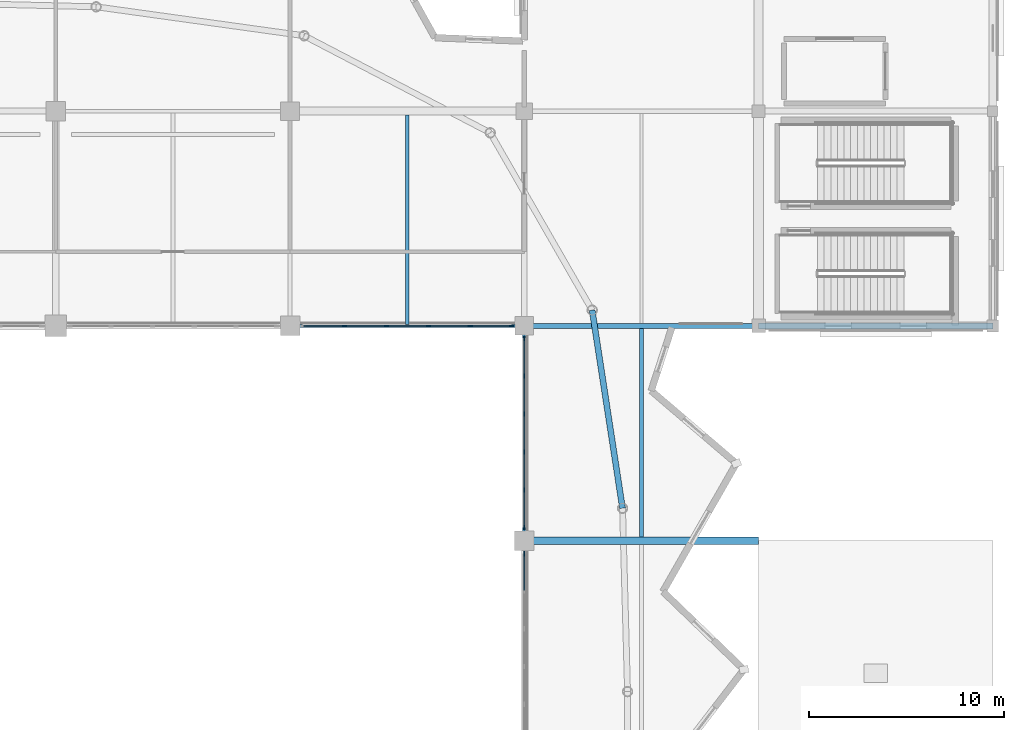
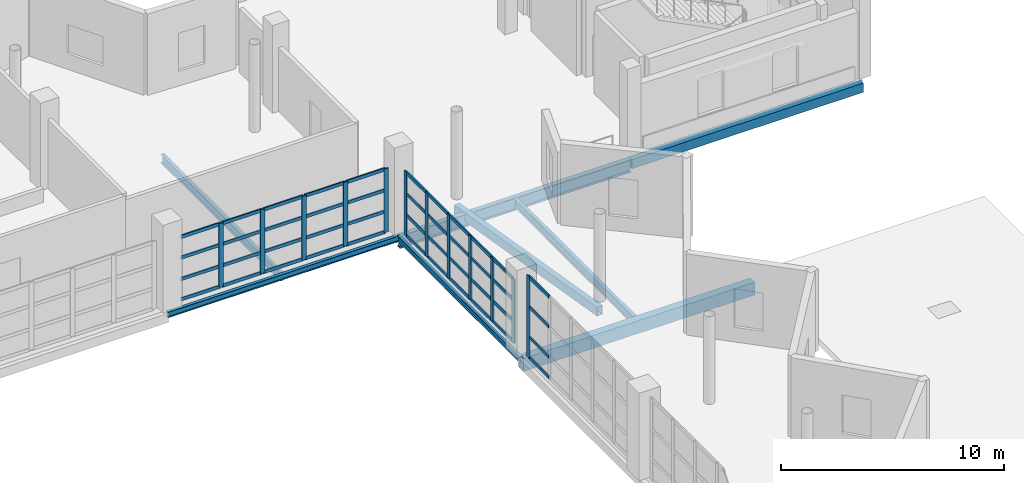
# One storey, part 27 of 53: 56 members, 8 beams, 3 elements without a shape of their own.
"""IFC4 building model written with IfcOpenShell, lengths in metres."""

from ifc_helpers import new_model, si_unit, direction, frame, origin, origin_2d, place, context, subcontext, project, spatial, rectangle, hollow_rectangle, i_section, extrude, material, material_profile, profile_set, type_object, element, aggregate, save


model = new_model("IFC4")

# Units and contexts
model_context = context("Model", 3, precision=1e-05, world=origin(), true_north=direction((0.0, 1.0)))
body_context = subcontext(model_context, "Body", "Model", "MODEL_VIEW")
ifc_project = project(units=[si_unit("LENGTHUNIT", "METRE"), si_unit("AREAUNIT", "SQUARE_METRE"), si_unit("VOLUMEUNIT", "CUBIC_METRE"), si_unit("PLANEANGLEUNIT", "RADIAN"), si_unit("MASSUNIT", "GRAM", prefix="KILO")], contexts=[model_context])

# Site, building, storey
site_placement = place(None, origin())
site = spatial("IfcSite", under=ifc_project, at=site_placement, CompositionType="ELEMENT")
building_placement = place(site_placement, origin())
building = spatial("IfcBuilding", under=site, at=building_placement, Name="Luwafu Chhajja Arena", CompositionType="ELEMENT")
storey_placement = place(building_placement, frame((0.0, 0.0, 19.5)))
storey = spatial("IfcBuildingStorey", under=building, at=storey_placement, Name="L04", CompositionType="ELEMENT", Elevation=19.5)

# Curtain wall, members
ifc_material_1 = material(Name="Anodised bronze aluminium", Category="aluminium")
curtain_wall_type = type_object("IfcCurtainWallType", Name="Media Ribbon Curtain Wall", PredefinedType="USERDEFINED", material=ifc_material_1)
curtain_wall_1_placement = place(storey_placement, origin())
curtain_wall_1 = element("IfcCurtainWall", 1, at=curtain_wall_1_placement, inside=storey, type_object=curtain_wall_type, Name="L04 Bowl Viewing Curtain Wall CWR-L04-14", ObjectType="CURTAIN WALL", PredefinedType="USERDEFINED")
ifc_material_profile_1 = material_profile(ifc_material_1, rectangle(XDim=0.070068359375, YDim=0.239990234375, at=origin_2d()), Name="CWM 70x240")
ifc_profile_set_1 = profile_set([ifc_material_profile_1], Name="Anodised bronze aluminium")
member_type_1 = type_object("IfcMemberType", Name="Bronze Curtain Wall Mullion 70x240", PredefinedType="MULLION", material=ifc_profile_set_1)
member_1_placement = place(storey_placement, frame((130.7890625, 77.0, 0.0), z_axis=(0.0, 0.0, 1.0), x_axis=(0.0, 1.0, 0.0)))
member_1 = element("IfcMember", 2, at=member_1_placement, type_object=member_type_1, Name="CW-03 mullion 2", PredefinedType="MULLION", context=body_context, shape_type="SweptSolid", body=[
    extrude(rectangle(XDim=0.070068359375, YDim=0.239990234375, at=origin_2d()), origin(), (0.0, 0.0, 1.0), 3.489990234375),
])
member_2_placement = place(storey_placement, frame((132.93798828125, 77.0, 0.0), z_axis=(0.0, 0.0, 1.0), x_axis=(0.0, 1.0, 0.0)))
member_2 = element("IfcMember", 3, at=member_2_placement, type_object=member_type_1, Name="CW-03 mullion 3", PredefinedType="MULLION", context=body_context, shape_type="SweptSolid", body=[
    extrude(rectangle(XDim=0.070068359375, YDim=0.239990234375, at=origin_2d()), origin(), (0.0, 0.0, 1.0), 3.489990234375),
])
member_3_placement = place(storey_placement, frame((135.0869140625, 77.0, 0.0), z_axis=(0.0, 0.0, 1.0), x_axis=(0.0, 1.0, 0.0)))
member_3 = element("IfcMember", 4, at=member_3_placement, type_object=member_type_1, Name="CW-03 mullion 4", PredefinedType="MULLION", context=body_context, shape_type="SweptSolid", body=[
    extrude(rectangle(XDim=0.070068359375, YDim=0.239990234375, at=origin_2d()), origin(), (0.0, 0.0, 1.0), 3.489990234375),
])
member_4_placement = place(storey_placement, frame((137.236083984375, 77.0, 0.0), z_axis=(0.0, 0.0, 1.0), x_axis=(0.0, 1.0, 0.0)))
member_4 = element("IfcMember", 5, at=member_4_placement, type_object=member_type_1, Name="CW-03 mullion 5", PredefinedType="MULLION", context=body_context, shape_type="SweptSolid", body=[
    extrude(rectangle(XDim=0.070068359375, YDim=0.239990234375, at=origin_2d()), origin(), (0.0, 0.0, 1.0), 3.489990234375),
])
member_5_placement = place(storey_placement, frame((139.35009765625, 77.0, 0.0), z_axis=(0.0, 0.0, 1.0), x_axis=(0.0, 1.0, 0.0)))
member_5 = element("IfcMember", 6, at=member_5_placement, type_object=member_type_1, Name="CW-03 mullion 6", PredefinedType="MULLION", context=body_context, shape_type="SweptSolid", body=[
    extrude(rectangle(XDim=0.070068359375, YDim=0.239990234375, at=origin_2d()), origin(), (0.0, 0.0, 1.0), 3.489990234375),
])

# Curtain wall, member
curtain_wall_2_placement = place(storey_placement, origin())
curtain_wall_2 = element("IfcCurtainWall", 7, at=curtain_wall_2_placement, inside=storey, type_object=curtain_wall_type, Name="L04 Bowl Viewing Curtain Wall CWR-L04-23", ObjectType="CURTAIN WALL", PredefinedType="USERDEFINED")
member_6_placement = place(storey_placement, frame((140.0, 65.324951171875, 0.0), z_axis=(0.0, 0.0, 1.0), x_axis=(-1.0, 0.0, 0.0)))
member_6 = element("IfcMember", 8, at=member_6_placement, type_object=member_type_1, Name="CW-03 mullion 6", PredefinedType="MULLION", context=body_context, shape_type="SweptSolid", body=[
    extrude(rectangle(XDim=0.070068359375, YDim=0.239990234375, at=origin_2d()), origin(), (0.0, 0.0, 1.0), 4.4599609375),
])

# Curtain wall, members
curtain_wall_3_placement = place(storey_placement, origin())
curtain_wall_3 = element("IfcCurtainWall", 9, at=curtain_wall_3_placement, inside=storey, type_object=curtain_wall_type, Name="L04 Bowl Viewing Curtain Wall CWR-L04-24", ObjectType="CURTAIN WALL", PredefinedType="USERDEFINED")
member_7_placement = place(storey_placement, frame((140.0, 66.675048828125, 0.0), z_axis=(0.0, 0.0, 1.0), x_axis=(-1.0, 0.0, 0.0)))
member_7 = element("IfcMember", 10, at=member_7_placement, type_object=member_type_1, Name="CW-03 mullion 1", PredefinedType="MULLION", context=body_context, shape_type="SweptSolid", body=[
    extrude(rectangle(XDim=0.070068359375, YDim=0.239990234375, at=origin_2d()), origin(), (0.0, 0.0, 1.0), 3.489990234375),
])
member_8_placement = place(storey_placement, frame((140.0, 68.589111328125, 0.0), z_axis=(0.0, 0.0, 1.0), x_axis=(-1.0, 0.0, 0.0)))
member_8 = element("IfcMember", 11, at=member_8_placement, type_object=member_type_1, Name="CW-03 mullion 2", PredefinedType="MULLION", context=body_context, shape_type="SweptSolid", body=[
    extrude(rectangle(XDim=0.070068359375, YDim=0.239990234375, at=origin_2d()), origin(), (0.0, 0.0, 1.0), 3.489990234375),
])
member_9_placement = place(storey_placement, frame((140.0, 70.5380859375, 0.0), z_axis=(0.0, 0.0, 1.0), x_axis=(-1.0, 0.0, 0.0)))
member_9 = element("IfcMember", 12, at=member_9_placement, type_object=member_type_1, Name="CW-03 mullion 3", PredefinedType="MULLION", context=body_context, shape_type="SweptSolid", body=[
    extrude(rectangle(XDim=0.070068359375, YDim=0.239990234375, at=origin_2d()), origin(), (0.0, 0.0, 1.0), 3.489990234375),
])
member_10_placement = place(storey_placement, frame((140.0, 72.487060546875, 0.0), z_axis=(0.0, 0.0, 1.0), x_axis=(-1.0, 0.0, 0.0)))
member_10 = element("IfcMember", 13, at=member_10_placement, type_object=member_type_1, Name="CW-03 mullion 4", PredefinedType="MULLION", context=body_context, shape_type="SweptSolid", body=[
    extrude(rectangle(XDim=0.070068359375, YDim=0.239990234375, at=origin_2d()), origin(), (0.0, 0.0, 1.0), 3.489990234375),
])
member_11_placement = place(storey_placement, frame((140.0, 74.43603515625, 0.0), z_axis=(0.0, 0.0, 1.0), x_axis=(-1.0, 0.0, 0.0)))
member_11 = element("IfcMember", 14, at=member_11_placement, type_object=member_type_1, Name="CW-03 mullion 5", PredefinedType="MULLION", context=body_context, shape_type="SweptSolid", body=[
    extrude(rectangle(XDim=0.070068359375, YDim=0.239990234375, at=origin_2d()), origin(), (0.0, 0.0, 1.0), 3.489990234375),
])
member_12_placement = place(storey_placement, frame((140.0, 76.35009765625, 0.0), z_axis=(0.0, 0.0, 1.0), x_axis=(-1.0, 0.0, 0.0)))
member_12 = element("IfcMember", 15, at=member_12_placement, type_object=member_type_1, Name="CW-03 mullion 6", PredefinedType="MULLION", context=body_context, shape_type="SweptSolid", body=[
    extrude(rectangle(XDim=0.070068359375, YDim=0.239990234375, at=origin_2d()), origin(), (0.0, 0.0, 1.0), 3.489990234375),
])

# Member
ifc_material_profile_2 = material_profile(ifc_material_1, rectangle(XDim=0.070068359375, YDim=0.179931640625, at=origin_2d()), Name="CWT 70x180")
ifc_profile_set_2 = profile_set([ifc_material_profile_2], Name="Anodised bronze aluminium")
member_type_2 = type_object("IfcMemberType", Name="Bronze Curtain Wall Transom 70x180", PredefinedType="USERDEFINED", material=ifc_profile_set_2)
member_13_placement = place(storey_placement, frame((128.7099609375, 77.0, 0.034912109375), z_axis=(1.0, 0.0, 0.0), x_axis=(0.0, 1.0, 0.0)))
member_13 = element("IfcMember", 16, at=member_13_placement, type_object=member_type_2, Name="CW-03 transom 1.1", ObjectType="TRANSOM", PredefinedType="USERDEFINED", context=body_context, shape_type="SweptSolid", body=[
    extrude(rectangle(XDim=0.070068359375, YDim=0.179931640625, at=origin_2d()), origin(), (0.0, 0.0, 1.0), 2.0439453125),
])

member_14_placement = place(storey_placement, frame((128.7099609375, 77.0, 1.14990234375), z_axis=(1.0, 0.0, 0.0), x_axis=(0.0, 1.0, 0.0)))
member_14 = element("IfcMember", 17, at=member_14_placement, type_object=member_type_2, Name="CW-03 transom 1.2", ObjectType="TRANSOM", PredefinedType="USERDEFINED", context=body_context, shape_type="SweptSolid", body=[
    extrude(rectangle(XDim=0.070068359375, YDim=0.179931640625, at=origin_2d()), origin(), (0.0, 0.0, 1.0), 2.0439453125),
])

member_15_placement = place(storey_placement, frame((128.7099609375, 77.0, 2.320068359375), z_axis=(1.0, 0.0, 0.0), x_axis=(0.0, 1.0, 0.0)))
member_15 = element("IfcMember", 18, at=member_15_placement, type_object=member_type_2, Name="CW-03 transom 1.3", ObjectType="TRANSOM", PredefinedType="USERDEFINED", context=body_context, shape_type="SweptSolid", body=[
    extrude(rectangle(XDim=0.070068359375, YDim=0.179931640625, at=origin_2d()), origin(), (0.0, 0.0, 1.0), 2.0439453125),
])

member_16_placement = place(storey_placement, frame((128.7099609375, 77.0, 3.455078125), z_axis=(1.0, 0.0, 0.0), x_axis=(0.0, 1.0, 0.0)))
member_16 = element("IfcMember", 19, at=member_16_placement, type_object=member_type_2, Name="CW-03 transom 1.4", ObjectType="TRANSOM", PredefinedType="USERDEFINED", context=body_context, shape_type="SweptSolid", body=[
    extrude(rectangle(XDim=0.070068359375, YDim=0.179931640625, at=origin_2d()), origin(), (0.0, 0.0, 1.0), 2.0439453125),
])

member_17_placement = place(storey_placement, frame((130.823974609375, 77.0, 0.034912109375), z_axis=(1.0, 0.0, 0.0), x_axis=(0.0, 1.0, 0.0)))
member_17 = element("IfcMember", 20, at=member_17_placement, type_object=member_type_2, Name="CW-03 transom 2.1", ObjectType="TRANSOM", PredefinedType="USERDEFINED", context=body_context, shape_type="SweptSolid", body=[
    extrude(rectangle(XDim=0.070068359375, YDim=0.179931640625, at=origin_2d()), origin(), (0.0, 0.0, 1.0), 2.0791015625),
])

member_18_placement = place(storey_placement, frame((130.823974609375, 77.0, 1.14990234375), z_axis=(1.0, 0.0, 0.0), x_axis=(0.0, 1.0, 0.0)))
member_18 = element("IfcMember", 21, at=member_18_placement, type_object=member_type_2, Name="CW-03 transom 2.2", ObjectType="TRANSOM", PredefinedType="USERDEFINED", context=body_context, shape_type="SweptSolid", body=[
    extrude(rectangle(XDim=0.070068359375, YDim=0.179931640625, at=origin_2d()), origin(), (0.0, 0.0, 1.0), 2.0791015625),
])

member_19_placement = place(storey_placement, frame((130.823974609375, 77.0, 2.320068359375), z_axis=(1.0, 0.0, 0.0), x_axis=(0.0, 1.0, 0.0)))
member_19 = element("IfcMember", 22, at=member_19_placement, type_object=member_type_2, Name="CW-03 transom 2.3", ObjectType="TRANSOM", PredefinedType="USERDEFINED", context=body_context, shape_type="SweptSolid", body=[
    extrude(rectangle(XDim=0.070068359375, YDim=0.179931640625, at=origin_2d()), origin(), (0.0, 0.0, 1.0), 2.0791015625),
])

member_20_placement = place(storey_placement, frame((130.823974609375, 77.0, 3.455078125), z_axis=(1.0, 0.0, 0.0), x_axis=(0.0, 1.0, 0.0)))
member_20 = element("IfcMember", 23, at=member_20_placement, type_object=member_type_2, Name="CW-03 transom 2.4", ObjectType="TRANSOM", PredefinedType="USERDEFINED", context=body_context, shape_type="SweptSolid", body=[
    extrude(rectangle(XDim=0.070068359375, YDim=0.179931640625, at=origin_2d()), origin(), (0.0, 0.0, 1.0), 2.0791015625),
])

member_21_placement = place(storey_placement, frame((132.972900390625, 77.0, 0.034912109375), z_axis=(1.0, 0.0, 0.0), x_axis=(0.0, 1.0, 0.0)))
member_21 = element("IfcMember", 24, at=member_21_placement, type_object=member_type_2, Name="CW-03 transom 3.1", ObjectType="TRANSOM", PredefinedType="USERDEFINED", context=body_context, shape_type="SweptSolid", body=[
    extrude(rectangle(XDim=0.070068359375, YDim=0.179931640625, at=origin_2d()), origin(), (0.0, 0.0, 1.0), 2.0791015625),
])

member_22_placement = place(storey_placement, frame((132.972900390625, 77.0, 1.14990234375), z_axis=(1.0, 0.0, 0.0), x_axis=(0.0, 1.0, 0.0)))
member_22 = element("IfcMember", 25, at=member_22_placement, type_object=member_type_2, Name="CW-03 transom 3.2", ObjectType="TRANSOM", PredefinedType="USERDEFINED", context=body_context, shape_type="SweptSolid", body=[
    extrude(rectangle(XDim=0.070068359375, YDim=0.179931640625, at=origin_2d()), origin(), (0.0, 0.0, 1.0), 2.0791015625),
])

member_23_placement = place(storey_placement, frame((132.972900390625, 77.0, 2.320068359375), z_axis=(1.0, 0.0, 0.0), x_axis=(0.0, 1.0, 0.0)))
member_23 = element("IfcMember", 26, at=member_23_placement, type_object=member_type_2, Name="CW-03 transom 3.3", ObjectType="TRANSOM", PredefinedType="USERDEFINED", context=body_context, shape_type="SweptSolid", body=[
    extrude(rectangle(XDim=0.070068359375, YDim=0.179931640625, at=origin_2d()), origin(), (0.0, 0.0, 1.0), 2.0791015625),
])

member_24_placement = place(storey_placement, frame((132.972900390625, 77.0, 3.455078125), z_axis=(1.0, 0.0, 0.0), x_axis=(0.0, 1.0, 0.0)))
member_24 = element("IfcMember", 27, at=member_24_placement, type_object=member_type_2, Name="CW-03 transom 3.4", ObjectType="TRANSOM", PredefinedType="USERDEFINED", context=body_context, shape_type="SweptSolid", body=[
    extrude(rectangle(XDim=0.070068359375, YDim=0.179931640625, at=origin_2d()), origin(), (0.0, 0.0, 1.0), 2.0791015625),
])

member_25_placement = place(storey_placement, frame((135.1220703125, 77.0, 0.034912109375), z_axis=(1.0, 0.0, 0.0), x_axis=(0.0, 1.0, 0.0)))
member_25 = element("IfcMember", 28, at=member_25_placement, type_object=member_type_2, Name="CW-03 transom 4.1", ObjectType="TRANSOM", PredefinedType="USERDEFINED", context=body_context, shape_type="SweptSolid", body=[
    extrude(rectangle(XDim=0.070068359375, YDim=0.179931640625, at=origin_2d()), origin(), (0.0, 0.0, 1.0), 2.078857421875),
])

member_26_placement = place(storey_placement, frame((135.1220703125, 77.0, 1.14990234375), z_axis=(1.0, 0.0, 0.0), x_axis=(0.0, 1.0, 0.0)))
member_26 = element("IfcMember", 29, at=member_26_placement, type_object=member_type_2, Name="CW-03 transom 4.2", ObjectType="TRANSOM", PredefinedType="USERDEFINED", context=body_context, shape_type="SweptSolid", body=[
    extrude(rectangle(XDim=0.070068359375, YDim=0.179931640625, at=origin_2d()), origin(), (0.0, 0.0, 1.0), 2.078857421875),
])

member_27_placement = place(storey_placement, frame((135.1220703125, 77.0, 2.320068359375), z_axis=(1.0, 0.0, 0.0), x_axis=(0.0, 1.0, 0.0)))
member_27 = element("IfcMember", 30, at=member_27_placement, type_object=member_type_2, Name="CW-03 transom 4.3", ObjectType="TRANSOM", PredefinedType="USERDEFINED", context=body_context, shape_type="SweptSolid", body=[
    extrude(rectangle(XDim=0.070068359375, YDim=0.179931640625, at=origin_2d()), origin(), (0.0, 0.0, 1.0), 2.078857421875),
])

member_28_placement = place(storey_placement, frame((135.1220703125, 77.0, 3.455078125), z_axis=(1.0, 0.0, 0.0), x_axis=(0.0, 1.0, 0.0)))
member_28 = element("IfcMember", 31, at=member_28_placement, type_object=member_type_2, Name="CW-03 transom 4.4", ObjectType="TRANSOM", PredefinedType="USERDEFINED", context=body_context, shape_type="SweptSolid", body=[
    extrude(rectangle(XDim=0.070068359375, YDim=0.179931640625, at=origin_2d()), origin(), (0.0, 0.0, 1.0), 2.078857421875),
])

member_29_placement = place(storey_placement, frame((137.27099609375, 77.0, 0.034912109375), z_axis=(1.0, 0.0, 0.0), x_axis=(0.0, 1.0, 0.0)))
member_29 = element("IfcMember", 32, at=member_29_placement, type_object=member_type_2, Name="CW-03 transom 5.1", ObjectType="TRANSOM", PredefinedType="USERDEFINED", context=body_context, shape_type="SweptSolid", body=[
    extrude(rectangle(XDim=0.070068359375, YDim=0.179931640625, at=origin_2d()), origin(), (0.0, 0.0, 1.0), 2.0439453125),
])

member_30_placement = place(storey_placement, frame((137.27099609375, 77.0, 1.14990234375), z_axis=(1.0, 0.0, 0.0), x_axis=(0.0, 1.0, 0.0)))
member_30 = element("IfcMember", 33, at=member_30_placement, type_object=member_type_2, Name="CW-03 transom 5.2", ObjectType="TRANSOM", PredefinedType="USERDEFINED", context=body_context, shape_type="SweptSolid", body=[
    extrude(rectangle(XDim=0.070068359375, YDim=0.179931640625, at=origin_2d()), origin(), (0.0, 0.0, 1.0), 2.0439453125),
])

member_31_placement = place(storey_placement, frame((137.27099609375, 77.0, 2.320068359375), z_axis=(1.0, 0.0, 0.0), x_axis=(0.0, 1.0, 0.0)))
member_31 = element("IfcMember", 34, at=member_31_placement, type_object=member_type_2, Name="CW-03 transom 5.3", ObjectType="TRANSOM", PredefinedType="USERDEFINED", context=body_context, shape_type="SweptSolid", body=[
    extrude(rectangle(XDim=0.070068359375, YDim=0.179931640625, at=origin_2d()), origin(), (0.0, 0.0, 1.0), 2.0439453125),
])

member_32_placement = place(storey_placement, frame((137.27099609375, 77.0, 3.455078125), z_axis=(1.0, 0.0, 0.0), x_axis=(0.0, 1.0, 0.0)))
member_32 = element("IfcMember", 35, at=member_32_placement, type_object=member_type_2, Name="CW-03 transom 5.4", ObjectType="TRANSOM", PredefinedType="USERDEFINED", context=body_context, shape_type="SweptSolid", body=[
    extrude(rectangle(XDim=0.070068359375, YDim=0.179931640625, at=origin_2d()), origin(), (0.0, 0.0, 1.0), 2.0439453125),
])

aggregate(curtain_wall_1, [member_1, member_2, member_3, member_4, member_5, member_13, member_14, member_15, member_16, member_17, member_18, member_19, member_20, member_21, member_22, member_23, member_24, member_25, member_26, member_27, member_28, member_29, member_30, member_31, member_32])

member_33_placement = place(storey_placement, frame((140.0, 63.4609375, 0.034912109375), z_axis=(0.0, 1.0, 0.0), x_axis=(-1.0, 0.0, 0.0)))
member_33 = element("IfcMember", 36, at=member_33_placement, type_object=member_type_2, Name="CW-03 transom 5.1", ObjectType="TRANSOM", PredefinedType="USERDEFINED", context=body_context, shape_type="SweptSolid", body=[
    extrude(rectangle(XDim=0.070068359375, YDim=0.179931640625, at=origin_2d()), origin(), (0.0, 0.0, 1.0), 1.8291015625),
])

member_34_placement = place(storey_placement, frame((140.0, 63.4609375, 1.14990234375), z_axis=(0.0, 1.0, 0.0), x_axis=(-1.0, 0.0, 0.0)))
member_34 = element("IfcMember", 37, at=member_34_placement, type_object=member_type_2, Name="CW-03 transom 5.2", ObjectType="TRANSOM", PredefinedType="USERDEFINED", context=body_context, shape_type="SweptSolid", body=[
    extrude(rectangle(XDim=0.070068359375, YDim=0.179931640625, at=origin_2d()), origin(), (0.0, 0.0, 1.0), 1.8291015625),
])

member_35_placement = place(storey_placement, frame((140.0, 63.4609375, 2.804931640625), z_axis=(0.0, 1.0, 0.0), x_axis=(-1.0, 0.0, 0.0)))
member_35 = element("IfcMember", 38, at=member_35_placement, type_object=member_type_2, Name="CW-03 transom 5.3", ObjectType="TRANSOM", PredefinedType="USERDEFINED", context=body_context, shape_type="SweptSolid", body=[
    extrude(rectangle(XDim=0.070068359375, YDim=0.179931640625, at=origin_2d()), origin(), (0.0, 0.0, 1.0), 1.8291015625),
])

member_36_placement = place(storey_placement, frame((140.0, 63.4609375, 4.425048828125), z_axis=(0.0, 1.0, 0.0), x_axis=(-1.0, 0.0, 0.0)))
member_36 = element("IfcMember", 39, at=member_36_placement, type_object=member_type_2, Name="CW-03 transom 5.4", ObjectType="TRANSOM", PredefinedType="USERDEFINED", context=body_context, shape_type="SweptSolid", body=[
    extrude(rectangle(XDim=0.070068359375, YDim=0.179931640625, at=origin_2d()), origin(), (0.0, 0.0, 1.0), 1.8291015625),
])

aggregate(curtain_wall_2, [member_6, member_33, member_34, member_35, member_36])

member_37_placement = place(storey_placement, frame((140.0, 66.7099609375, 0.034912109375), z_axis=(0.0, 1.0, 0.0), x_axis=(-1.0, 0.0, 0.0)))
member_37 = element("IfcMember", 40, at=member_37_placement, type_object=member_type_2, Name="CW-03 transom 1.1", ObjectType="TRANSOM", PredefinedType="USERDEFINED", context=body_context, shape_type="SweptSolid", body=[
    extrude(rectangle(XDim=0.070068359375, YDim=0.179931640625, at=origin_2d()), origin(), (0.0, 0.0, 1.0), 1.843994140625),
])

member_38_placement = place(storey_placement, frame((140.0, 66.7099609375, 1.14990234375), z_axis=(0.0, 1.0, 0.0), x_axis=(-1.0, 0.0, 0.0)))
member_38 = element("IfcMember", 41, at=member_38_placement, type_object=member_type_2, Name="CW-03 transom 1.2", ObjectType="TRANSOM", PredefinedType="USERDEFINED", context=body_context, shape_type="SweptSolid", body=[
    extrude(rectangle(XDim=0.070068359375, YDim=0.179931640625, at=origin_2d()), origin(), (0.0, 0.0, 1.0), 1.843994140625),
])

member_39_placement = place(storey_placement, frame((140.0, 66.7099609375, 2.320068359375), z_axis=(0.0, 1.0, 0.0), x_axis=(-1.0, 0.0, 0.0)))
member_39 = element("IfcMember", 42, at=member_39_placement, type_object=member_type_2, Name="CW-03 transom 1.3", ObjectType="TRANSOM", PredefinedType="USERDEFINED", context=body_context, shape_type="SweptSolid", body=[
    extrude(rectangle(XDim=0.070068359375, YDim=0.179931640625, at=origin_2d()), origin(), (0.0, 0.0, 1.0), 1.843994140625),
])

member_40_placement = place(storey_placement, frame((140.0, 66.7099609375, 3.455078125), z_axis=(0.0, 1.0, 0.0), x_axis=(-1.0, 0.0, 0.0)))
member_40 = element("IfcMember", 43, at=member_40_placement, type_object=member_type_2, Name="CW-03 transom 1.4", ObjectType="TRANSOM", PredefinedType="USERDEFINED", context=body_context, shape_type="SweptSolid", body=[
    extrude(rectangle(XDim=0.070068359375, YDim=0.179931640625, at=origin_2d()), origin(), (0.0, 0.0, 1.0), 1.843994140625),
])

member_41_placement = place(storey_placement, frame((140.0, 68.6240234375, 0.034912109375), z_axis=(0.0, 1.0, 0.0), x_axis=(-1.0, 0.0, 0.0)))
member_41 = element("IfcMember", 44, at=member_41_placement, type_object=member_type_2, Name="CW-03 transom 2.1", ObjectType="TRANSOM", PredefinedType="USERDEFINED", context=body_context, shape_type="SweptSolid", body=[
    extrude(rectangle(XDim=0.070068359375, YDim=0.179931640625, at=origin_2d()), origin(), (0.0, 0.0, 1.0), 1.87890625),
])

member_42_placement = place(storey_placement, frame((140.0, 68.6240234375, 1.14990234375), z_axis=(0.0, 1.0, 0.0), x_axis=(-1.0, 0.0, 0.0)))
member_42 = element("IfcMember", 45, at=member_42_placement, type_object=member_type_2, Name="CW-03 transom 2.2", ObjectType="TRANSOM", PredefinedType="USERDEFINED", context=body_context, shape_type="SweptSolid", body=[
    extrude(rectangle(XDim=0.070068359375, YDim=0.179931640625, at=origin_2d()), origin(), (0.0, 0.0, 1.0), 1.87890625),
])

member_43_placement = place(storey_placement, frame((140.0, 68.6240234375, 2.320068359375), z_axis=(0.0, 1.0, 0.0), x_axis=(-1.0, 0.0, 0.0)))
member_43 = element("IfcMember", 46, at=member_43_placement, type_object=member_type_2, Name="CW-03 transom 2.3", ObjectType="TRANSOM", PredefinedType="USERDEFINED", context=body_context, shape_type="SweptSolid", body=[
    extrude(rectangle(XDim=0.070068359375, YDim=0.179931640625, at=origin_2d()), origin(), (0.0, 0.0, 1.0), 1.87890625),
])

member_44_placement = place(storey_placement, frame((140.0, 68.6240234375, 3.455078125), z_axis=(0.0, 1.0, 0.0), x_axis=(-1.0, 0.0, 0.0)))
member_44 = element("IfcMember", 47, at=member_44_placement, type_object=member_type_2, Name="CW-03 transom 2.4", ObjectType="TRANSOM", PredefinedType="USERDEFINED", context=body_context, shape_type="SweptSolid", body=[
    extrude(rectangle(XDim=0.070068359375, YDim=0.179931640625, at=origin_2d()), origin(), (0.0, 0.0, 1.0), 1.87890625),
])

member_45_placement = place(storey_placement, frame((140.0, 70.572998046875, 0.034912109375), z_axis=(0.0, 1.0, 0.0), x_axis=(-1.0, 0.0, 0.0)))
member_45 = element("IfcMember", 48, at=member_45_placement, type_object=member_type_2, Name="CW-03 transom 3.1", ObjectType="TRANSOM", PredefinedType="USERDEFINED", context=body_context, shape_type="SweptSolid", body=[
    extrude(rectangle(XDim=0.070068359375, YDim=0.179931640625, at=origin_2d()), origin(), (0.0, 0.0, 1.0), 1.87890625),
])

member_46_placement = place(storey_placement, frame((140.0, 70.572998046875, 1.14990234375), z_axis=(0.0, 1.0, 0.0), x_axis=(-1.0, 0.0, 0.0)))
member_46 = element("IfcMember", 49, at=member_46_placement, type_object=member_type_2, Name="CW-03 transom 3.2", ObjectType="TRANSOM", PredefinedType="USERDEFINED", context=body_context, shape_type="SweptSolid", body=[
    extrude(rectangle(XDim=0.070068359375, YDim=0.179931640625, at=origin_2d()), origin(), (0.0, 0.0, 1.0), 1.87890625),
])

member_47_placement = place(storey_placement, frame((140.0, 70.572998046875, 2.320068359375), z_axis=(0.0, 1.0, 0.0), x_axis=(-1.0, 0.0, 0.0)))
member_47 = element("IfcMember", 50, at=member_47_placement, type_object=member_type_2, Name="CW-03 transom 3.3", ObjectType="TRANSOM", PredefinedType="USERDEFINED", context=body_context, shape_type="SweptSolid", body=[
    extrude(rectangle(XDim=0.070068359375, YDim=0.179931640625, at=origin_2d()), origin(), (0.0, 0.0, 1.0), 1.87890625),
])

member_48_placement = place(storey_placement, frame((140.0, 70.572998046875, 3.455078125), z_axis=(0.0, 1.0, 0.0), x_axis=(-1.0, 0.0, 0.0)))
member_48 = element("IfcMember", 51, at=member_48_placement, type_object=member_type_2, Name="CW-03 transom 3.4", ObjectType="TRANSOM", PredefinedType="USERDEFINED", context=body_context, shape_type="SweptSolid", body=[
    extrude(rectangle(XDim=0.070068359375, YDim=0.179931640625, at=origin_2d()), origin(), (0.0, 0.0, 1.0), 1.87890625),
])

member_49_placement = place(storey_placement, frame((140.0, 72.52197265625, 0.034912109375), z_axis=(0.0, 1.0, 0.0), x_axis=(-1.0, 0.0, 0.0)))
member_49 = element("IfcMember", 52, at=member_49_placement, type_object=member_type_2, Name="CW-03 transom 4.1", ObjectType="TRANSOM", PredefinedType="USERDEFINED", context=body_context, shape_type="SweptSolid", body=[
    extrude(rectangle(XDim=0.070068359375, YDim=0.179931640625, at=origin_2d()), origin(), (0.0, 0.0, 1.0), 1.87890625),
])

member_50_placement = place(storey_placement, frame((140.0, 72.52197265625, 1.14990234375), z_axis=(0.0, 1.0, 0.0), x_axis=(-1.0, 0.0, 0.0)))
member_50 = element("IfcMember", 53, at=member_50_placement, type_object=member_type_2, Name="CW-03 transom 4.2", ObjectType="TRANSOM", PredefinedType="USERDEFINED", context=body_context, shape_type="SweptSolid", body=[
    extrude(rectangle(XDim=0.070068359375, YDim=0.179931640625, at=origin_2d()), origin(), (0.0, 0.0, 1.0), 1.87890625),
])

member_51_placement = place(storey_placement, frame((140.0, 72.52197265625, 2.320068359375), z_axis=(0.0, 1.0, 0.0), x_axis=(-1.0, 0.0, 0.0)))
member_51 = element("IfcMember", 54, at=member_51_placement, type_object=member_type_2, Name="CW-03 transom 4.3", ObjectType="TRANSOM", PredefinedType="USERDEFINED", context=body_context, shape_type="SweptSolid", body=[
    extrude(rectangle(XDim=0.070068359375, YDim=0.179931640625, at=origin_2d()), origin(), (0.0, 0.0, 1.0), 1.87890625),
])

member_52_placement = place(storey_placement, frame((140.0, 72.52197265625, 3.455078125), z_axis=(0.0, 1.0, 0.0), x_axis=(-1.0, 0.0, 0.0)))
member_52 = element("IfcMember", 55, at=member_52_placement, type_object=member_type_2, Name="CW-03 transom 4.4", ObjectType="TRANSOM", PredefinedType="USERDEFINED", context=body_context, shape_type="SweptSolid", body=[
    extrude(rectangle(XDim=0.070068359375, YDim=0.179931640625, at=origin_2d()), origin(), (0.0, 0.0, 1.0), 1.87890625),
])

member_53_placement = place(storey_placement, frame((140.0, 74.470947265625, 0.034912109375), z_axis=(0.0, 1.0, 0.0), x_axis=(-1.0, 0.0, 0.0)))
member_53 = element("IfcMember", 56, at=member_53_placement, type_object=member_type_2, Name="CW-03 transom 5.1", ObjectType="TRANSOM", PredefinedType="USERDEFINED", context=body_context, shape_type="SweptSolid", body=[
    extrude(rectangle(XDim=0.070068359375, YDim=0.179931640625, at=origin_2d()), origin(), (0.0, 0.0, 1.0), 1.843994140625),
])

member_54_placement = place(storey_placement, frame((140.0, 74.470947265625, 1.14990234375), z_axis=(0.0, 1.0, 0.0), x_axis=(-1.0, 0.0, 0.0)))
member_54 = element("IfcMember", 57, at=member_54_placement, type_object=member_type_2, Name="CW-03 transom 5.2", ObjectType="TRANSOM", PredefinedType="USERDEFINED", context=body_context, shape_type="SweptSolid", body=[
    extrude(rectangle(XDim=0.070068359375, YDim=0.179931640625, at=origin_2d()), origin(), (0.0, 0.0, 1.0), 1.843994140625),
])

member_55_placement = place(storey_placement, frame((140.0, 74.470947265625, 2.320068359375), z_axis=(0.0, 1.0, 0.0), x_axis=(-1.0, 0.0, 0.0)))
member_55 = element("IfcMember", 58, at=member_55_placement, type_object=member_type_2, Name="CW-03 transom 5.3", ObjectType="TRANSOM", PredefinedType="USERDEFINED", context=body_context, shape_type="SweptSolid", body=[
    extrude(rectangle(XDim=0.070068359375, YDim=0.179931640625, at=origin_2d()), origin(), (0.0, 0.0, 1.0), 1.843994140625),
])

member_56_placement = place(storey_placement, frame((140.0, 74.470947265625, 3.455078125), z_axis=(0.0, 1.0, 0.0), x_axis=(-1.0, 0.0, 0.0)))
member_56 = element("IfcMember", 59, at=member_56_placement, type_object=member_type_2, Name="CW-03 transom 5.4", ObjectType="TRANSOM", PredefinedType="USERDEFINED", context=body_context, shape_type="SweptSolid", body=[
    extrude(rectangle(XDim=0.070068359375, YDim=0.179931640625, at=origin_2d()), origin(), (0.0, 0.0, 1.0), 1.843994140625),
])

aggregate(curtain_wall_3, [member_7, member_8, member_9, member_10, member_11, member_12, member_37, member_38, member_39, member_40, member_41, member_42, member_43, member_44, member_45, member_46, member_47, member_48, member_49, member_50, member_51, member_52, member_53, member_54, member_55, member_56])

# Beams
ifc_material_2 = material(Name="Steel S355", Category="steel")
ifc_material_profile_3 = material_profile(ifc_material_2, i_section(OverallWidth=0.165771484375, OverallDepth=0.306640625, WebThickness=0.006591796875, FlangeThickness=0.01171875, at=origin_2d()), Name="UB 305x165x46")
ifc_profile_set_3 = profile_set([ifc_material_profile_3], Name="Steel S355")
beam_type_1 = type_object("IfcBeamType", Name="Concourse Edge Spandrel Beam UB 305x165x46", PredefinedType="SPANDREL", material=ifc_profile_set_3)
beam_1_placement = place(storey_placement, frame((128.0, 77.0, -0.543212890625), z_axis=(1.0, 0.0, 0.0), x_axis=(0.0, 1.0, 0.0)))
element("IfcBeam", 60, at=beam_1_placement, inside=storey, type_object=beam_type_1, Name="L04 Grid Beam 12-13/H", PredefinedType="SPANDREL", context=body_context, shape_type="SweptSolid", body=[
    extrude(i_section(OverallWidth=0.165771484375, OverallDepth=0.306640625, WebThickness=0.006591796875, FlangeThickness=0.01171875, at=origin_2d()), origin(), (0.0, 0.0, 1.0), 12.0),
])
beam_2_placement = place(storey_placement, frame((140.0, 66.0, -0.543212890625), z_axis=(0.0, 1.0, 0.0), x_axis=(-1.0, 0.0, 0.0)))
element("IfcBeam", 61, at=beam_2_placement, inside=storey, type_object=beam_type_1, Name="L04 Grid Beam 13/G-H", PredefinedType="SPANDREL", context=body_context, shape_type="SweptSolid", body=[
    extrude(i_section(OverallWidth=0.165771484375, OverallDepth=0.306640625, WebThickness=0.006591796875, FlangeThickness=0.01171875, at=origin_2d()), origin(), (0.0, 0.0, 1.0), 11.0),
])
ifc_material_profile_4 = material_profile(ifc_material_2, i_section(OverallWidth=0.19140625, OverallDepth=0.4599609375, WebThickness=0.010009765625, FlangeThickness=0.01611328125, at=origin_2d()), Name="UB 457x191x82")
ifc_profile_set_4 = profile_set([ifc_material_profile_4], Name="Steel S355")
beam_type_2 = type_object("IfcBeamType", Name="Floor Joist UB 457x191x82", PredefinedType="JOIST", material=ifc_profile_set_4)
beam_3_placement = place(storey_placement, frame((134.0, 77.082763671875, -0.6201171875), z_axis=(0.0, 1.0, 0.0), x_axis=(-1.0, 0.0, 0.0)))
element("IfcBeam", 62, at=beam_3_placement, inside=storey, type_object=beam_type_2, Name="L04 Secondary Joist 12-13/H", PredefinedType="JOIST", context=body_context, shape_type="SweptSolid", body=[
    extrude(i_section(OverallWidth=0.19140625, OverallDepth=0.4599609375, WebThickness=0.010009765625, FlangeThickness=0.01611328125, at=origin_2d()), origin(), (0.0, 0.0, 1.0), 10.71728515625),
])
beam_4_placement = place(storey_placement, frame((146.0, 66.199951171875, -0.6201171875), z_axis=(0.0, 1.0, 0.0), x_axis=(-1.0, 0.0, 0.0)))
element("IfcBeam", 63, at=beam_4_placement, inside=storey, type_object=beam_type_2, Name="L04 Secondary Joist 13-14/G", PredefinedType="JOIST", context=body_context, shape_type="SweptSolid", body=[
    extrude(i_section(OverallWidth=0.19140625, OverallDepth=0.4599609375, WebThickness=0.010009765625, FlangeThickness=0.01611328125, at=origin_2d()), origin(), (0.0, 0.0, 1.0), 10.673095703125),
])
ifc_material_profile_5 = material_profile(ifc_material_2, hollow_rectangle(XDim=0.300048828125, YDim=0.5, WallThickness=0.02001953125, at=origin_2d()), Name="RHS 500x300x20")
ifc_profile_set_5 = profile_set([ifc_material_profile_5], Name="Steel S355")
beam_type_3 = type_object("IfcBeamType", Name="Pleated Drum Spandrel Beam RHS 500x300", PredefinedType="SPANDREL", material=ifc_profile_set_5)
beam_5_placement = place(storey_placement, frame((152.0, 77.0, -0.639892578125), z_axis=(1.0, 0.0, 0.0), x_axis=(0.0, 1.0, 0.0)))
element("IfcBeam", 64, at=beam_5_placement, inside=storey, type_object=beam_type_3, Name="L04 Grid Beam 14-15/H", PredefinedType="SPANDREL", context=body_context, shape_type="SweptSolid", body=[
    extrude(hollow_rectangle(XDim=0.300048828125, YDim=0.5, WallThickness=0.02001953125, at=origin_2d()), origin(), (0.0, 0.0, 1.0), 12.0),
])
beam_6_placement = place(storey_placement, frame((145.031982421875, 67.6611328125, -0.639892578125), z_axis=(-0.1515977802, 0.988442265911, 0.0), x_axis=(-0.988442265911, -0.1515977802, 0.0)))
element("IfcBeam", 65, at=beam_6_placement, inside=storey, type_object=beam_type_3, Name="L04 Drum Ring Spandrel D03-D04", PredefinedType="SPANDREL", context=body_context, shape_type="SweptSolid", body=[
    extrude(hollow_rectangle(XDim=0.300048828125, YDim=0.5, WallThickness=0.02001953125, at=origin_2d()), origin(), (0.0, 0.0, 1.0), 10.263427734375),
])
ifc_material_profile_6 = material_profile(ifc_material_2, i_section(OverallWidth=0.253662109375, OverallDepth=0.68359375, WebThickness=0.012451171875, FlangeThickness=0.01904296875, at=origin_2d()), Name="UB 686x254x140")
ifc_profile_set_6 = profile_set([ifc_material_profile_6], Name="Steel S355")
beam_type_4 = type_object("IfcBeamType", Name="Steel Concourse Girder UB 686x254x140", PredefinedType="BEAM", material=ifc_profile_set_6)
beam_7_placement = place(storey_placement, frame((140.0, 77.0, -0.731689453125), z_axis=(1.0, 0.0, 0.0), x_axis=(0.0, 1.0, 0.0)))
element("IfcBeam", 66, at=beam_7_placement, inside=storey, type_object=beam_type_4, Name="L04 Grid Beam 13-14/H", PredefinedType="BEAM", context=body_context, shape_type="SweptSolid", body=[
    extrude(i_section(OverallWidth=0.253662109375, OverallDepth=0.68359375, WebThickness=0.012451171875, FlangeThickness=0.01904296875, at=origin_2d()), origin(), (0.0, 0.0, 1.0), 12.0),
])
ifc_material_3 = material(Name="Concrete C35/45", Category="concrete")
ifc_material_profile_7 = material_profile(ifc_material_3, rectangle(XDim=0.39990234375, YDim=0.699951171875, at=origin_2d()), Name="RC 400x700")
ifc_profile_set_7 = profile_set([ifc_material_profile_7], Name="Concrete C35/45")
beam_type_5 = type_object("IfcBeamType", Name="Wing Frame Beam RC 400x700", PredefinedType="BEAM", material=ifc_profile_set_7)
beam_8_placement = place(storey_placement, frame((140.0, 66.0, -0.739990234375), z_axis=(1.0, 0.0, 0.0), x_axis=(0.0, 1.0, 0.0)))
element("IfcBeam", 67, at=beam_8_placement, inside=storey, type_object=beam_type_5, Name="L04 Grid Beam 13-14/G", PredefinedType="BEAM", context=body_context, shape_type="SweptSolid", body=[
    extrude(rectangle(XDim=0.39990234375, YDim=0.699951171875, at=origin_2d()), origin(), (0.0, 0.0, 1.0), 12.0),
])

save(model, "model.ifc")
